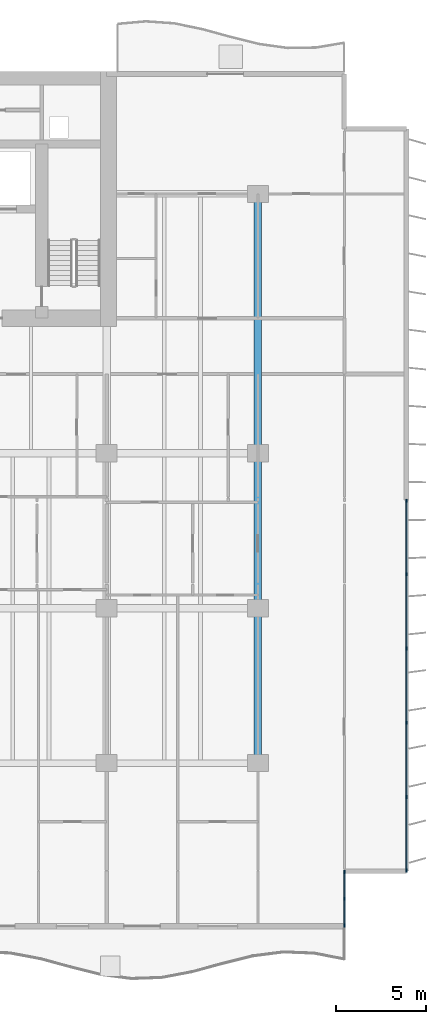
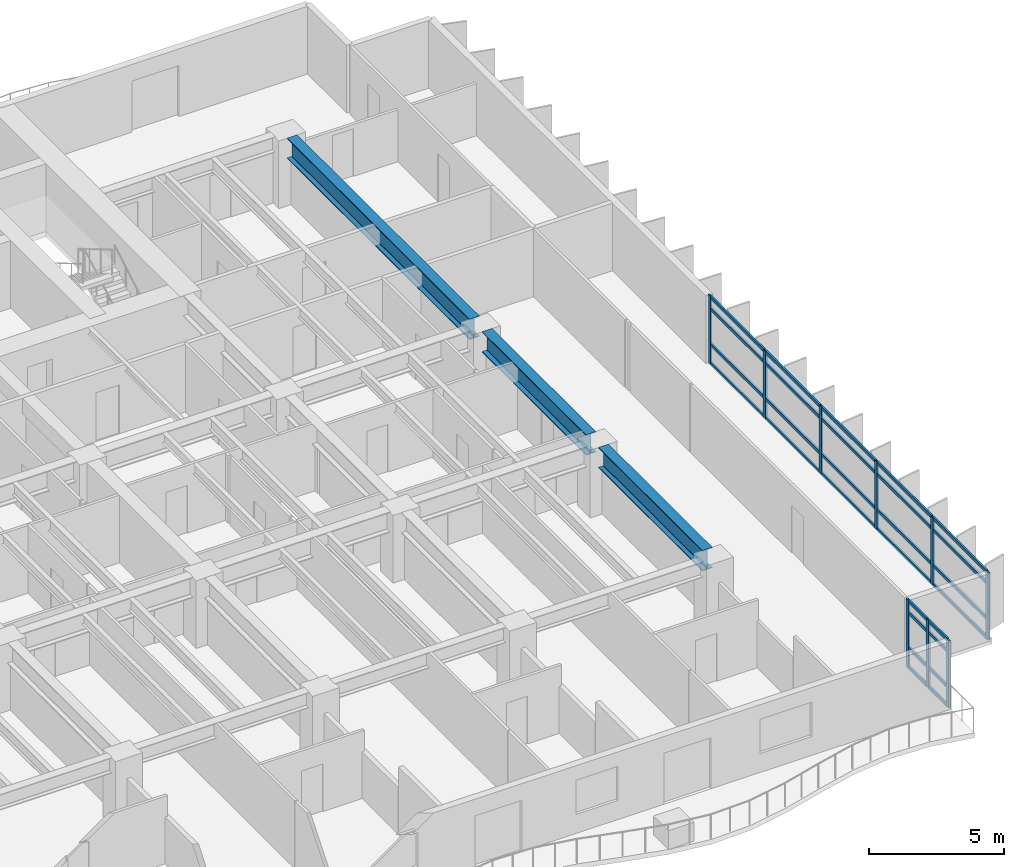
# One storey, part 4 of 17: 37 members, 3 beams, 2 elements without a shape of their own.
"""IFC4 building model written with IfcOpenShell, lengths in metres."""

from ifc_helpers import new_model, si_unit, direction, frame, origin, origin_2d, place, context, subcontext, project, spatial, rectangle, i_section, extrude, material, layer, layer_set, material_profile, profile_set, type_object, element, aggregate, save


model = new_model("IFC4")

# Units and contexts
model_context = context("Model", 3, precision=1e-05, world=origin(), true_north=direction((0.0, 1.0)))
body_context = subcontext(model_context, "Body", "Model", "MODEL_VIEW")
ifc_project = project(units=[si_unit("LENGTHUNIT", "METRE"), si_unit("AREAUNIT", "SQUARE_METRE"), si_unit("VOLUMEUNIT", "CUBIC_METRE"), si_unit("PLANEANGLEUNIT", "RADIAN"), si_unit("MASSUNIT", "GRAM", prefix="KILO")], contexts=[model_context])

# Site, building, storey
site_placement = place(None, origin())
site = spatial("IfcSite", under=ifc_project, at=site_placement, CompositionType="ELEMENT")
building_placement = place(site_placement, origin())
building = spatial("IfcBuilding", under=site, at=building_placement, Name="Caelmar Bay Residences", CompositionType="ELEMENT")
storey_placement = place(building_placement, frame((0.0, 0.0, 59.699951171875)))
storey = spatial("IfcBuildingStorey", under=building, at=storey_placement, Name="L15", CompositionType="ELEMENT", Elevation=59.699951171875)

# Beams
ifc_material_1 = material(Name="Steel ASTM A992 Grade 50", Category="steel")
ifc_material_profile_1 = material_profile(ifc_material_1, i_section(OverallWidth=0.422119140625, OverallDepth=0.925048828125, WebThickness=0.021240234375, FlangeThickness=0.03662109375, FilletRadius=0.020263671875, at=origin_2d()), Name="W36X262")
ifc_profile_set_1 = profile_set([ifc_material_profile_1], Name="Steel ASTM A992 Grade 50")
beam_type = type_object("IfcBeamType", Name="BM-GRD-W36X262", PredefinedType="BEAM", material=ifc_profile_set_1)
beam_1_placement = place(storey_placement, frame((67.89990234375, 12.6650390625, 2.587646484375), z_axis=(0.0, 1.0, 0.0), x_axis=(-1.0, 0.0, 0.0)))
element("IfcBeam", 1, at=beam_1_placement, inside=storey, type_object=beam_type, Name="L15 North-South Girder X=67.90 (12.2-20.8)", PredefinedType="BEAM", context=body_context, shape_type="SweptSolid", body=[
    extrude(i_section(OverallWidth=0.422119140625, OverallDepth=0.925048828125, WebThickness=0.021240234375, FlangeThickness=0.03662109375, FilletRadius=0.020263671875, at=origin_2d()), origin(), (0.0, 0.0, 1.0), 7.669921875),
])
beam_2_placement = place(storey_placement, frame((67.89990234375, 21.264892578125, 2.587646484375), z_axis=(0.0, 1.0, 0.0), x_axis=(-1.0, 0.0, 0.0)))
element("IfcBeam", 2, at=beam_2_placement, inside=storey, type_object=beam_type, Name="L15 North-South Girder X=67.90 (20.8-29.4)", PredefinedType="BEAM", context=body_context, shape_type="SweptSolid", body=[
    extrude(i_section(OverallWidth=0.422119140625, OverallDepth=0.925048828125, WebThickness=0.021240234375, FlangeThickness=0.03662109375, FilletRadius=0.020263671875, at=origin_2d()), origin(), (0.0, 0.0, 1.0), 7.670166015625),
])
beam_3_placement = place(storey_placement, frame((67.89990234375, 29.864990234375, 2.587646484375), z_axis=(0.0, 1.0, 0.0), x_axis=(-1.0, 0.0, 0.0)))
element("IfcBeam", 3, at=beam_3_placement, inside=storey, type_object=beam_type, Name="L15 North-South Girder X=67.90 (29.4-43.8)", PredefinedType="BEAM", context=body_context, shape_type="SweptSolid", body=[
    extrude(i_section(OverallWidth=0.422119140625, OverallDepth=0.925048828125, WebThickness=0.021240234375, FlangeThickness=0.03662109375, FilletRadius=0.020263671875, at=origin_2d()), origin(), (0.0, 0.0, 1.0), 13.469970703125),
])

# Curtain wall, members
ifc_material_2 = material(Name="Anodised bronze aluminium 6063-T6 and laminated glass", Category="aluminium")
ifc_layer_1 = layer(ifc_material_2, 0.179931640625)
ifc_layer_set_1 = layer_set([ifc_layer_1], Name="Anodised bronze aluminium 6063-T6 and laminated glass")
curtain_wall_type_1 = type_object("IfcCurtainWallType", Name="CW6-NTC", PredefinedType="NOTDEFINED", material=ifc_layer_set_1)
curtain_wall_1_placement = place(storey_placement, origin())
curtain_wall_1 = element("IfcCurtainWall", 4, at=curtain_wall_1_placement, inside=storey, type_object=curtain_wall_type_1, Name="CW6 curtain wall L15", PredefinedType="NOTDEFINED")
ifc_material_3 = material(Name="Anodised bronze aluminium 6063-T6", Category="aluminium")
ifc_material_profile_2 = material_profile(ifc_material_3, rectangle(XDim=0.080078125, YDim=0.179931640625, at=origin_2d()), Name="CWM-80X180")
ifc_profile_set_2 = profile_set([ifc_material_profile_2], Name="Anodised bronze aluminium 6063-T6")
member_type_1 = type_object("IfcMemberType", Name="CWM-180", PredefinedType="MULLION", material=ifc_profile_set_2)
member_1_placement = place(storey_placement, frame((72.699951171875, 3.18994140625, 0.0), z_axis=(0.0, 0.0, 1.0), x_axis=(-1.0, 0.0, 0.0)))
member_1 = element("IfcMember", 5, at=member_1_placement, type_object=member_type_1, Name="CW6 mullion 1", PredefinedType="MULLION", context=body_context, shape_type="SweptSolid", body=[
    extrude(rectangle(XDim=0.080078125, YDim=0.179931640625, at=origin_2d()), origin(), (0.0, 0.0, 1.0), 3.050048828125),
])
member_2_placement = place(storey_placement, frame((72.699951171875, 4.675048828125, 0.0), z_axis=(0.0, 0.0, 1.0), x_axis=(-1.0, 0.0, 0.0)))
member_2 = element("IfcMember", 6, at=member_2_placement, type_object=member_type_1, Name="CW6 mullion 2", PredefinedType="MULLION", context=body_context, shape_type="SweptSolid", body=[
    extrude(rectangle(XDim=0.080078125, YDim=0.179931640625, at=origin_2d()), origin(), (0.0, 0.0, 1.0), 3.050048828125),
])
member_3_placement = place(storey_placement, frame((72.699951171875, 6.159912109375, 0.0), z_axis=(0.0, 0.0, 1.0), x_axis=(-1.0, 0.0, 0.0)))
member_3 = element("IfcMember", 7, at=member_3_placement, type_object=member_type_1, Name="CW6 mullion 3", PredefinedType="MULLION", context=body_context, shape_type="SweptSolid", body=[
    extrude(rectangle(XDim=0.080078125, YDim=0.179931640625, at=origin_2d()), origin(), (0.0, 0.0, 1.0), 3.050048828125),
])

ifc_layer_2 = layer(ifc_material_2, 0.179931640625)
ifc_layer_set_2 = layer_set([ifc_layer_2], Name="Anodised bronze aluminium 6063-T6 and laminated glass")
curtain_wall_type_2 = type_object("IfcCurtainWallType", Name="CW2-Z1", PredefinedType="NOTDEFINED", material=ifc_layer_set_2)
curtain_wall_2_placement = place(storey_placement, origin())
curtain_wall_2 = element("IfcCurtainWall", 8, at=curtain_wall_2_placement, inside=storey, type_object=curtain_wall_type_2, Name="CW2 curtain wall L15", PredefinedType="NOTDEFINED")
member_4_placement = place(storey_placement, frame((76.14990234375, 26.760009765625, 0.0), z_axis=(0.0, 0.0, 1.0), x_axis=(1.0, 0.0, 0.0)))
member_4 = element("IfcMember", 9, at=member_4_placement, type_object=member_type_1, Name="CW2 mullion 1", PredefinedType="MULLION", context=body_context, shape_type="SweptSolid", body=[
    extrude(rectangle(XDim=0.080078125, YDim=0.179931640625, at=origin_2d()), origin(), (0.0, 0.0, 1.0), 3.050048828125),
])
member_5_placement = place(storey_placement, frame((76.14990234375, 22.679931640625, 0.0), z_axis=(0.0, 0.0, 1.0), x_axis=(1.0, 0.0, 0.0)))
member_5 = element("IfcMember", 10, at=member_5_placement, type_object=member_type_1, Name="CW2 mullion 2", PredefinedType="MULLION", context=body_context, shape_type="SweptSolid", body=[
    extrude(rectangle(XDim=0.080078125, YDim=0.179931640625, at=origin_2d()), origin(), (0.0, 0.0, 1.0), 3.050048828125),
])
member_6_placement = place(storey_placement, frame((76.14990234375, 18.56005859375, 0.0), z_axis=(0.0, 0.0, 1.0), x_axis=(1.0, 0.0, 0.0)))
member_6 = element("IfcMember", 11, at=member_6_placement, type_object=member_type_1, Name="CW2 mullion 3", PredefinedType="MULLION", context=body_context, shape_type="SweptSolid", body=[
    extrude(rectangle(XDim=0.080078125, YDim=0.179931640625, at=origin_2d()), origin(), (0.0, 0.0, 1.0), 3.050048828125),
])
member_7_placement = place(storey_placement, frame((76.14990234375, 14.43994140625, 0.0), z_axis=(0.0, 0.0, 1.0), x_axis=(1.0, 0.0, 0.0)))
member_7 = element("IfcMember", 12, at=member_7_placement, type_object=member_type_1, Name="CW2 mullion 4", PredefinedType="MULLION", context=body_context, shape_type="SweptSolid", body=[
    extrude(rectangle(XDim=0.080078125, YDim=0.179931640625, at=origin_2d()), origin(), (0.0, 0.0, 1.0), 3.050048828125),
])
member_8_placement = place(storey_placement, frame((76.14990234375, 10.320068359375, 0.0), z_axis=(0.0, 0.0, 1.0), x_axis=(1.0, 0.0, 0.0)))
member_8 = element("IfcMember", 13, at=member_8_placement, type_object=member_type_1, Name="CW2 mullion 5", PredefinedType="MULLION", context=body_context, shape_type="SweptSolid", body=[
    extrude(rectangle(XDim=0.080078125, YDim=0.179931640625, at=origin_2d()), origin(), (0.0, 0.0, 1.0), 3.050048828125),
])
member_9_placement = place(storey_placement, frame((76.14990234375, 6.239990234375, 0.0), z_axis=(0.0, 0.0, 1.0), x_axis=(1.0, 0.0, 0.0)))
member_9 = element("IfcMember", 14, at=member_9_placement, type_object=member_type_1, Name="CW2 mullion 6", PredefinedType="MULLION", context=body_context, shape_type="SweptSolid", body=[
    extrude(rectangle(XDim=0.080078125, YDim=0.179931640625, at=origin_2d()), origin(), (0.0, 0.0, 1.0), 3.050048828125),
])

# Member
ifc_material_profile_3 = material_profile(ifc_material_3, rectangle(XDim=0.080078125, YDim=0.139892578125, at=origin_2d()), Name="CWT-80X140")
ifc_profile_set_3 = profile_set([ifc_material_profile_3], Name="Anodised bronze aluminium 6063-T6")
member_type_2 = type_object("IfcMemberType", Name="CWT-140", PredefinedType="NOTDEFINED", material=ifc_profile_set_3)
member_10_placement = place(storey_placement, frame((72.699951171875, 3.22998046875, 0.0400390625), z_axis=(0.0, 1.0, 0.0), x_axis=(-1.0, 0.0, 0.0)))
member_10 = element("IfcMember", 15, at=member_10_placement, type_object=member_type_2, Name="CW6 transom 1.1", ObjectType="TRANSOM", PredefinedType="USERDEFINED", context=body_context, shape_type="SweptSolid", body=[
    extrude(rectangle(XDim=0.080078125, YDim=0.139892578125, at=origin_2d()), origin(), (0.0, 0.0, 1.0), 1.405029296875),
])

member_11_placement = place(storey_placement, frame((72.699951171875, 3.22998046875, 0.900146484375), z_axis=(0.0, 1.0, 0.0), x_axis=(-1.0, 0.0, 0.0)))
member_11 = element("IfcMember", 16, at=member_11_placement, type_object=member_type_2, Name="CW6 transom 1.2", ObjectType="TRANSOM", PredefinedType="USERDEFINED", context=body_context, shape_type="SweptSolid", body=[
    extrude(rectangle(XDim=0.080078125, YDim=0.139892578125, at=origin_2d()), origin(), (0.0, 0.0, 1.0), 1.405029296875),
])

member_12_placement = place(storey_placement, frame((72.699951171875, 3.22998046875, 2.5), z_axis=(0.0, 1.0, 0.0), x_axis=(-1.0, 0.0, 0.0)))
member_12 = element("IfcMember", 17, at=member_12_placement, type_object=member_type_2, Name="CW6 transom 1.3", ObjectType="TRANSOM", PredefinedType="USERDEFINED", context=body_context, shape_type="SweptSolid", body=[
    extrude(rectangle(XDim=0.080078125, YDim=0.139892578125, at=origin_2d()), origin(), (0.0, 0.0, 1.0), 1.405029296875),
])

member_13_placement = place(storey_placement, frame((72.699951171875, 3.22998046875, 3.010009765625), z_axis=(0.0, 1.0, 0.0), x_axis=(-1.0, 0.0, 0.0)))
member_13 = element("IfcMember", 18, at=member_13_placement, type_object=member_type_2, Name="CW6 transom 1.4", ObjectType="TRANSOM", PredefinedType="USERDEFINED", context=body_context, shape_type="SweptSolid", body=[
    extrude(rectangle(XDim=0.080078125, YDim=0.139892578125, at=origin_2d()), origin(), (0.0, 0.0, 1.0), 1.405029296875),
])

member_14_placement = place(storey_placement, frame((72.699951171875, 4.715087890625, 0.0400390625), z_axis=(0.0, 1.0, 0.0), x_axis=(-1.0, 0.0, 0.0)))
member_14 = element("IfcMember", 19, at=member_14_placement, type_object=member_type_2, Name="CW6 transom 2.1", ObjectType="TRANSOM", PredefinedType="USERDEFINED", context=body_context, shape_type="SweptSolid", body=[
    extrude(rectangle(XDim=0.080078125, YDim=0.139892578125, at=origin_2d()), origin(), (0.0, 0.0, 1.0), 1.405029296875),
])

member_15_placement = place(storey_placement, frame((72.699951171875, 4.715087890625, 0.900146484375), z_axis=(0.0, 1.0, 0.0), x_axis=(-1.0, 0.0, 0.0)))
member_15 = element("IfcMember", 20, at=member_15_placement, type_object=member_type_2, Name="CW6 transom 2.2", ObjectType="TRANSOM", PredefinedType="USERDEFINED", context=body_context, shape_type="SweptSolid", body=[
    extrude(rectangle(XDim=0.080078125, YDim=0.139892578125, at=origin_2d()), origin(), (0.0, 0.0, 1.0), 1.405029296875),
])

member_16_placement = place(storey_placement, frame((72.699951171875, 4.715087890625, 2.5), z_axis=(0.0, 1.0, 0.0), x_axis=(-1.0, 0.0, 0.0)))
member_16 = element("IfcMember", 21, at=member_16_placement, type_object=member_type_2, Name="CW6 transom 2.3", ObjectType="TRANSOM", PredefinedType="USERDEFINED", context=body_context, shape_type="SweptSolid", body=[
    extrude(rectangle(XDim=0.080078125, YDim=0.139892578125, at=origin_2d()), origin(), (0.0, 0.0, 1.0), 1.405029296875),
])

member_17_placement = place(storey_placement, frame((72.699951171875, 4.715087890625, 3.010009765625), z_axis=(0.0, 1.0, 0.0), x_axis=(-1.0, 0.0, 0.0)))
member_17 = element("IfcMember", 22, at=member_17_placement, type_object=member_type_2, Name="CW6 transom 2.4", ObjectType="TRANSOM", PredefinedType="USERDEFINED", context=body_context, shape_type="SweptSolid", body=[
    extrude(rectangle(XDim=0.080078125, YDim=0.139892578125, at=origin_2d()), origin(), (0.0, 0.0, 1.0), 1.405029296875),
])

aggregate(curtain_wall_1, [member_1, member_2, member_3, member_10, member_11, member_12, member_13, member_14, member_15, member_16, member_17])

member_18_placement = place(storey_placement, frame((76.14990234375, 26.719970703125, 0.0400390625), z_axis=(0.0, -1.0, 0.0), x_axis=(1.0, 0.0, 0.0)))
member_18 = element("IfcMember", 23, at=member_18_placement, type_object=member_type_2, Name="CW2 transom 1.1", ObjectType="TRANSOM", PredefinedType="USERDEFINED", context=body_context, shape_type="SweptSolid", body=[
    extrude(rectangle(XDim=0.080078125, YDim=0.139892578125, at=origin_2d()), origin(), (0.0, 0.0, 1.0), 4.0),
])

member_19_placement = place(storey_placement, frame((76.14990234375, 26.719970703125, 0.900146484375), z_axis=(0.0, -1.0, 0.0), x_axis=(1.0, 0.0, 0.0)))
member_19 = element("IfcMember", 24, at=member_19_placement, type_object=member_type_2, Name="CW2 transom 1.2", ObjectType="TRANSOM", PredefinedType="USERDEFINED", context=body_context, shape_type="SweptSolid", body=[
    extrude(rectangle(XDim=0.080078125, YDim=0.139892578125, at=origin_2d()), origin(), (0.0, 0.0, 1.0), 4.0),
])

member_20_placement = place(storey_placement, frame((76.14990234375, 26.719970703125, 2.5), z_axis=(0.0, -1.0, 0.0), x_axis=(1.0, 0.0, 0.0)))
member_20 = element("IfcMember", 25, at=member_20_placement, type_object=member_type_2, Name="CW2 transom 1.3", ObjectType="TRANSOM", PredefinedType="USERDEFINED", context=body_context, shape_type="SweptSolid", body=[
    extrude(rectangle(XDim=0.080078125, YDim=0.139892578125, at=origin_2d()), origin(), (0.0, 0.0, 1.0), 4.0),
])

member_21_placement = place(storey_placement, frame((76.14990234375, 26.719970703125, 3.010009765625), z_axis=(0.0, -1.0, 0.0), x_axis=(1.0, 0.0, 0.0)))
member_21 = element("IfcMember", 26, at=member_21_placement, type_object=member_type_2, Name="CW2 transom 1.4", ObjectType="TRANSOM", PredefinedType="USERDEFINED", context=body_context, shape_type="SweptSolid", body=[
    extrude(rectangle(XDim=0.080078125, YDim=0.139892578125, at=origin_2d()), origin(), (0.0, 0.0, 1.0), 4.0),
])

member_22_placement = place(storey_placement, frame((76.14990234375, 22.639892578125, 0.0400390625), z_axis=(0.0, -1.0, 0.0), x_axis=(1.0, 0.0, 0.0)))
member_22 = element("IfcMember", 27, at=member_22_placement, type_object=member_type_2, Name="CW2 transom 2.1", ObjectType="TRANSOM", PredefinedType="USERDEFINED", context=body_context, shape_type="SweptSolid", body=[
    extrude(rectangle(XDim=0.080078125, YDim=0.139892578125, at=origin_2d()), origin(), (0.0, 0.0, 1.0), 4.039794921875),
])

member_23_placement = place(storey_placement, frame((76.14990234375, 22.639892578125, 0.900146484375), z_axis=(0.0, -1.0, 0.0), x_axis=(1.0, 0.0, 0.0)))
member_23 = element("IfcMember", 28, at=member_23_placement, type_object=member_type_2, Name="CW2 transom 2.2", ObjectType="TRANSOM", PredefinedType="USERDEFINED", context=body_context, shape_type="SweptSolid", body=[
    extrude(rectangle(XDim=0.080078125, YDim=0.139892578125, at=origin_2d()), origin(), (0.0, 0.0, 1.0), 4.039794921875),
])

member_24_placement = place(storey_placement, frame((76.14990234375, 22.639892578125, 2.5), z_axis=(0.0, -1.0, 0.0), x_axis=(1.0, 0.0, 0.0)))
member_24 = element("IfcMember", 29, at=member_24_placement, type_object=member_type_2, Name="CW2 transom 2.3", ObjectType="TRANSOM", PredefinedType="USERDEFINED", context=body_context, shape_type="SweptSolid", body=[
    extrude(rectangle(XDim=0.080078125, YDim=0.139892578125, at=origin_2d()), origin(), (0.0, 0.0, 1.0), 4.039794921875),
])

member_25_placement = place(storey_placement, frame((76.14990234375, 22.639892578125, 3.010009765625), z_axis=(0.0, -1.0, 0.0), x_axis=(1.0, 0.0, 0.0)))
member_25 = element("IfcMember", 30, at=member_25_placement, type_object=member_type_2, Name="CW2 transom 2.4", ObjectType="TRANSOM", PredefinedType="USERDEFINED", context=body_context, shape_type="SweptSolid", body=[
    extrude(rectangle(XDim=0.080078125, YDim=0.139892578125, at=origin_2d()), origin(), (0.0, 0.0, 1.0), 4.039794921875),
])

member_26_placement = place(storey_placement, frame((76.14990234375, 18.52001953125, 0.0400390625), z_axis=(0.0, -1.0, 0.0), x_axis=(1.0, 0.0, 0.0)))
member_26 = element("IfcMember", 31, at=member_26_placement, type_object=member_type_2, Name="CW2 transom 3.1", ObjectType="TRANSOM", PredefinedType="USERDEFINED", context=body_context, shape_type="SweptSolid", body=[
    extrude(rectangle(XDim=0.080078125, YDim=0.139892578125, at=origin_2d()), origin(), (0.0, 0.0, 1.0), 4.0400390625),
])

member_27_placement = place(storey_placement, frame((76.14990234375, 18.52001953125, 0.900146484375), z_axis=(0.0, -1.0, 0.0), x_axis=(1.0, 0.0, 0.0)))
member_27 = element("IfcMember", 32, at=member_27_placement, type_object=member_type_2, Name="CW2 transom 3.2", ObjectType="TRANSOM", PredefinedType="USERDEFINED", context=body_context, shape_type="SweptSolid", body=[
    extrude(rectangle(XDim=0.080078125, YDim=0.139892578125, at=origin_2d()), origin(), (0.0, 0.0, 1.0), 4.0400390625),
])

member_28_placement = place(storey_placement, frame((76.14990234375, 18.52001953125, 2.5), z_axis=(0.0, -1.0, 0.0), x_axis=(1.0, 0.0, 0.0)))
member_28 = element("IfcMember", 33, at=member_28_placement, type_object=member_type_2, Name="CW2 transom 3.3", ObjectType="TRANSOM", PredefinedType="USERDEFINED", context=body_context, shape_type="SweptSolid", body=[
    extrude(rectangle(XDim=0.080078125, YDim=0.139892578125, at=origin_2d()), origin(), (0.0, 0.0, 1.0), 4.0400390625),
])

member_29_placement = place(storey_placement, frame((76.14990234375, 18.52001953125, 3.010009765625), z_axis=(0.0, -1.0, 0.0), x_axis=(1.0, 0.0, 0.0)))
member_29 = element("IfcMember", 34, at=member_29_placement, type_object=member_type_2, Name="CW2 transom 3.4", ObjectType="TRANSOM", PredefinedType="USERDEFINED", context=body_context, shape_type="SweptSolid", body=[
    extrude(rectangle(XDim=0.080078125, YDim=0.139892578125, at=origin_2d()), origin(), (0.0, 0.0, 1.0), 4.0400390625),
])

member_30_placement = place(storey_placement, frame((76.14990234375, 14.39990234375, 0.0400390625), z_axis=(0.0, -1.0, 0.0), x_axis=(1.0, 0.0, 0.0)))
member_30 = element("IfcMember", 35, at=member_30_placement, type_object=member_type_2, Name="CW2 transom 4.1", ObjectType="TRANSOM", PredefinedType="USERDEFINED", context=body_context, shape_type="SweptSolid", body=[
    extrude(rectangle(XDim=0.080078125, YDim=0.139892578125, at=origin_2d()), origin(), (0.0, 0.0, 1.0), 4.039794921875),
])

member_31_placement = place(storey_placement, frame((76.14990234375, 14.39990234375, 0.900146484375), z_axis=(0.0, -1.0, 0.0), x_axis=(1.0, 0.0, 0.0)))
member_31 = element("IfcMember", 36, at=member_31_placement, type_object=member_type_2, Name="CW2 transom 4.2", ObjectType="TRANSOM", PredefinedType="USERDEFINED", context=body_context, shape_type="SweptSolid", body=[
    extrude(rectangle(XDim=0.080078125, YDim=0.139892578125, at=origin_2d()), origin(), (0.0, 0.0, 1.0), 4.039794921875),
])

member_32_placement = place(storey_placement, frame((76.14990234375, 14.39990234375, 2.5), z_axis=(0.0, -1.0, 0.0), x_axis=(1.0, 0.0, 0.0)))
member_32 = element("IfcMember", 37, at=member_32_placement, type_object=member_type_2, Name="CW2 transom 4.3", ObjectType="TRANSOM", PredefinedType="USERDEFINED", context=body_context, shape_type="SweptSolid", body=[
    extrude(rectangle(XDim=0.080078125, YDim=0.139892578125, at=origin_2d()), origin(), (0.0, 0.0, 1.0), 4.039794921875),
])

member_33_placement = place(storey_placement, frame((76.14990234375, 14.39990234375, 3.010009765625), z_axis=(0.0, -1.0, 0.0), x_axis=(1.0, 0.0, 0.0)))
member_33 = element("IfcMember", 38, at=member_33_placement, type_object=member_type_2, Name="CW2 transom 4.4", ObjectType="TRANSOM", PredefinedType="USERDEFINED", context=body_context, shape_type="SweptSolid", body=[
    extrude(rectangle(XDim=0.080078125, YDim=0.139892578125, at=origin_2d()), origin(), (0.0, 0.0, 1.0), 4.039794921875),
])

member_34_placement = place(storey_placement, frame((76.14990234375, 10.280029296875, 0.0400390625), z_axis=(0.0, -1.0, 0.0), x_axis=(1.0, 0.0, 0.0)))
member_34 = element("IfcMember", 39, at=member_34_placement, type_object=member_type_2, Name="CW2 transom 5.1", ObjectType="TRANSOM", PredefinedType="USERDEFINED", context=body_context, shape_type="SweptSolid", body=[
    extrude(rectangle(XDim=0.080078125, YDim=0.139892578125, at=origin_2d()), origin(), (0.0, 0.0, 1.0), 4.0),
])

member_35_placement = place(storey_placement, frame((76.14990234375, 10.280029296875, 0.900146484375), z_axis=(0.0, -1.0, 0.0), x_axis=(1.0, 0.0, 0.0)))
member_35 = element("IfcMember", 40, at=member_35_placement, type_object=member_type_2, Name="CW2 transom 5.2", ObjectType="TRANSOM", PredefinedType="USERDEFINED", context=body_context, shape_type="SweptSolid", body=[
    extrude(rectangle(XDim=0.080078125, YDim=0.139892578125, at=origin_2d()), origin(), (0.0, 0.0, 1.0), 4.0),
])

member_36_placement = place(storey_placement, frame((76.14990234375, 10.280029296875, 2.5), z_axis=(0.0, -1.0, 0.0), x_axis=(1.0, 0.0, 0.0)))
member_36 = element("IfcMember", 41, at=member_36_placement, type_object=member_type_2, Name="CW2 transom 5.3", ObjectType="TRANSOM", PredefinedType="USERDEFINED", context=body_context, shape_type="SweptSolid", body=[
    extrude(rectangle(XDim=0.080078125, YDim=0.139892578125, at=origin_2d()), origin(), (0.0, 0.0, 1.0), 4.0),
])

member_37_placement = place(storey_placement, frame((76.14990234375, 10.280029296875, 3.010009765625), z_axis=(0.0, -1.0, 0.0), x_axis=(1.0, 0.0, 0.0)))
member_37 = element("IfcMember", 42, at=member_37_placement, type_object=member_type_2, Name="CW2 transom 5.4", ObjectType="TRANSOM", PredefinedType="USERDEFINED", context=body_context, shape_type="SweptSolid", body=[
    extrude(rectangle(XDim=0.080078125, YDim=0.139892578125, at=origin_2d()), origin(), (0.0, 0.0, 1.0), 4.0),
])

aggregate(curtain_wall_2, [member_4, member_5, member_6, member_7, member_8, member_9, member_18, member_19, member_20, member_21, member_22, member_23, member_24, member_25, member_26, member_27, member_28, member_29, member_30, member_31, member_32, member_33, member_34, member_35, member_36, member_37])

save(model, "model.ifc")
